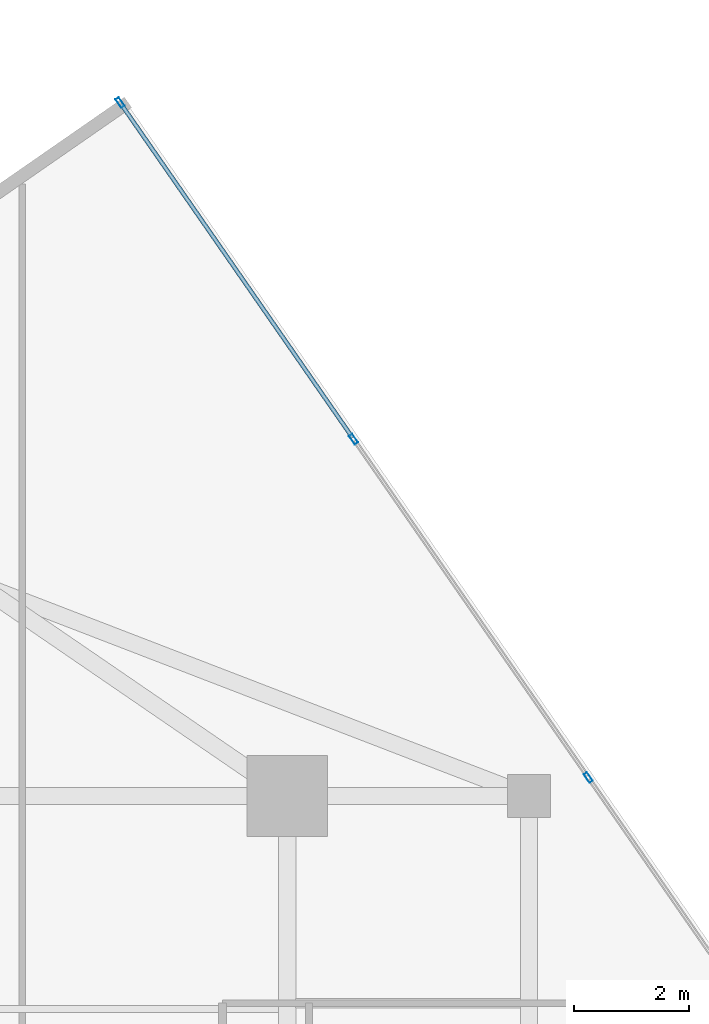
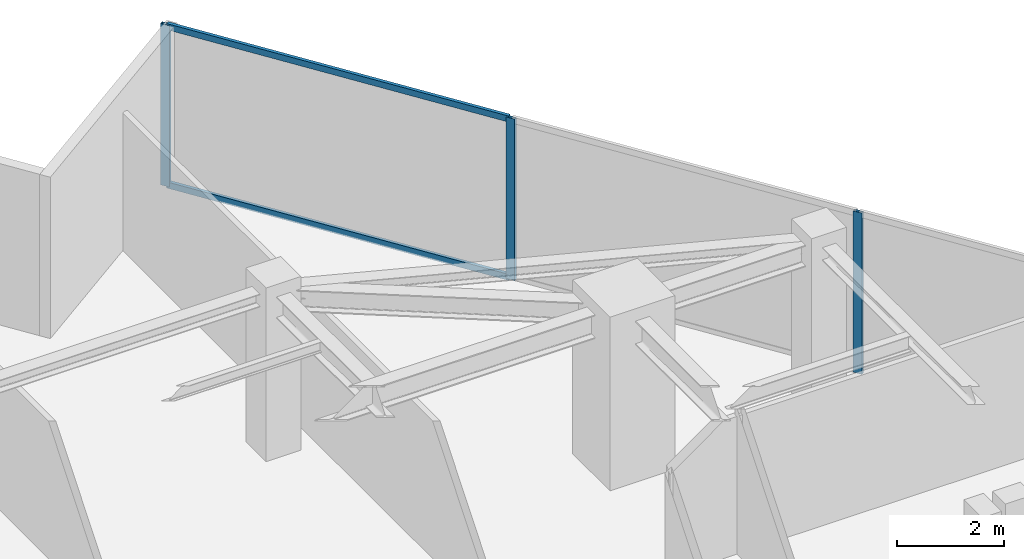
# One storey, part 16 of 21: 5 members, 1 element without a shape of its own.
"""IFC4 building model written with IfcOpenShell, lengths in metres."""

from ifc_helpers import new_model, si_unit, direction, frame, origin, origin_2d, place, context, subcontext, project, spatial, hollow_rectangle, extrude, source, transform, mapped, material, material_profile, profile_set, type_object, type_shapes, element, aggregate, save


model = new_model("IFC4")

# Units and contexts
model_context = context("Model", 3, precision=1e-05, world=origin(), true_north=direction((0.0, 1.0)))
body_context = subcontext(model_context, "Body", "Model", "MODEL_VIEW")
ifc_project = project(units=[si_unit("LENGTHUNIT", "METRE"), si_unit("AREAUNIT", "SQUARE_METRE"), si_unit("VOLUMEUNIT", "CUBIC_METRE"), si_unit("PLANEANGLEUNIT", "RADIAN"), si_unit("MASSUNIT", "GRAM", prefix="KILO")], contexts=[model_context])

# Site, building, storey
site_placement = place(None, origin())
site = spatial("IfcSite", under=ifc_project, at=site_placement, CompositionType="ELEMENT")
building_placement = place(site_placement, origin())
building = spatial("IfcBuilding", under=site, at=building_placement, Name="Krantzveldt Concourse Tower", CompositionType="ELEMENT")
storey_placement = place(building_placement, frame((0.0, 0.0, 271.35009765625)))
storey = spatial("IfcBuildingStorey", under=building, at=storey_placement, Name="L66", CompositionType="ELEMENT", Elevation=271.35009765625)

# Curtain wall, members
ifc_material = material(Name="Anodised aluminium 6063-T6", Category="aluminium")
curtain_wall_type = type_object("IfcCurtainWallType", Name="CW4", PredefinedType="USERDEFINED", material=ifc_material)
curtain_wall_placement = place(storey_placement, origin())
curtain_wall = element("IfcCurtainWall", 1, at=curtain_wall_placement, inside=storey, type_object=curtain_wall_type, Name="CW-L66-F14", ObjectType="UNITISED CURTAIN WALL", PredefinedType="USERDEFINED")
ifc_material_profile_1 = material_profile(ifc_material, hollow_rectangle(XDim=0.070068359375, YDim=0.179931640625, WallThickness=0.0048828125, at=origin_2d()), Name="Anodised aluminium 6063-T6", Category="aluminium")
ifc_profile_set_1 = profile_set([ifc_material_profile_1], Name="Anodised aluminium 6063-T6 - ALU-MULL 180x70x5")
member_type_1 = type_object("IfcMemberType", Name="CW-MUL-180", PredefinedType="MULLION", material=ifc_profile_set_1)
shared_shape_1 = source(origin(), body_context, "Body", "SweptSolid", [
    extrude(hollow_rectangle(XDim=0.070068359375, YDim=0.179931640625, WallThickness=0.0048828125, at=origin_2d()), origin(), (0.0, 0.0, 1.0), 3.669921875),
])
type_shapes(member_type_1, [shared_shape_1])
member_1_placement = place(storey_placement, frame((52.0302734375, 37.820556640625, 0.0), z_axis=(0.0, 0.0, 1.0), x_axis=(-0.821647031735, -0.569996627395, 0.0)))
member_1 = element("IfcMember", 2, at=member_1_placement, type_object=member_type_1, Name="CW-Z56 mullion 3", PredefinedType="MULLION", context=body_context, shape_type="MappedRepresentation", body=[
    mapped(shared_shape_1, transform((0.0, 0.0, 0.0), x_axis=(1.0, 0.0, 0.0), y_axis=(0.0, 1.0, 0.0), z_axis=(0.0, 0.0, 1.0), scale=1.0)),
])
member_2_placement = place(storey_placement, frame((47.954833984375, 43.6953125, 0.0), z_axis=(0.0, 0.0, 1.0), x_axis=(-0.821647031735, -0.569996627395, 0.0)))
member_2 = element("IfcMember", 3, at=member_2_placement, type_object=member_type_1, Name="CW-Z56 mullion 4", PredefinedType="MULLION", context=body_context, shape_type="MappedRepresentation", body=[
    mapped(shared_shape_1, transform((0.0, 0.0, 0.0), x_axis=(1.0, 0.0, 0.0), y_axis=(0.0, 1.0, 0.0), z_axis=(0.0, 0.0, 1.0), scale=1.0)),
])
member_3_placement = place(storey_placement, frame((43.8994140625, 49.54150390625, 0.0), z_axis=(0.0, 0.0, 1.0), x_axis=(-0.821647031735, -0.569996627395, 0.0)))
member_3 = element("IfcMember", 4, at=member_3_placement, type_object=member_type_1, Name="CW-Z56 mullion 5", PredefinedType="MULLION", context=body_context, shape_type="MappedRepresentation", body=[
    mapped(shared_shape_1, transform((0.0, 0.0, 0.0), x_axis=(1.0, 0.0, 0.0), y_axis=(0.0, 1.0, 0.0), z_axis=(0.0, 0.0, 1.0), scale=1.0)),
])
ifc_material_profile_2 = material_profile(ifc_material, hollow_rectangle(XDim=0.070068359375, YDim=0.139892578125, WallThickness=0.0048828125, at=origin_2d()), Name="Anodised aluminium 6063-T6", Category="aluminium")
ifc_profile_set_2 = profile_set([ifc_material_profile_2], Name="Anodised aluminium 6063-T6 - ALU-TRAN 140x70x5")
member_type_2 = type_object("IfcMemberType", Name="CW-TRN-150", PredefinedType="USERDEFINED", material=ifc_profile_set_2)
shared_shape_2 = source(origin(), body_context, "Body", "SweptSolid", [
    extrude(hollow_rectangle(XDim=0.070068359375, YDim=0.139892578125, WallThickness=0.0048828125, at=origin_2d()), origin(), (0.0, 0.0, 1.0), 7.045166015625),
])
type_shapes(member_type_2, [shared_shape_2])
member_4_placement = place(storey_placement, frame((47.934814453125, 43.72412109375, 0.034912109375), z_axis=(-0.569991796641, 0.821650382926, 0.0), x_axis=(-0.821650382926, -0.569991796641, 0.0)))
member_4 = element("IfcMember", 5, at=member_4_placement, type_object=member_type_2, Name="CW-Z56 transom 4.1", ObjectType="TRANSOM", PredefinedType="USERDEFINED", context=body_context, shape_type="MappedRepresentation", body=[
    mapped(shared_shape_2, transform((0.0, 0.0, 0.0), x_axis=(1.0, 0.0, 0.0), y_axis=(0.0, 1.0, 0.0), z_axis=(0.0, 0.0, 1.0), scale=1.0)),
])
member_5_placement = place(storey_placement, frame((47.934814453125, 43.72412109375, 3.635009765625), z_axis=(-0.569991796641, 0.821650382926, 0.0), x_axis=(-0.821650382926, -0.569991796641, 0.0)))
member_5 = element("IfcMember", 6, at=member_5_placement, type_object=member_type_2, Name="CW-Z56 transom 4.2", ObjectType="TRANSOM", PredefinedType="USERDEFINED", context=body_context, shape_type="MappedRepresentation", body=[
    mapped(shared_shape_2, transform((0.0, 0.0, 0.0), x_axis=(1.0, 0.0, 0.0), y_axis=(0.0, 1.0, 0.0), z_axis=(0.0, 0.0, 1.0), scale=1.0)),
])
aggregate(curtain_wall, [member_1, member_2, member_3, member_4, member_5])

save(model, "model.ifc")
